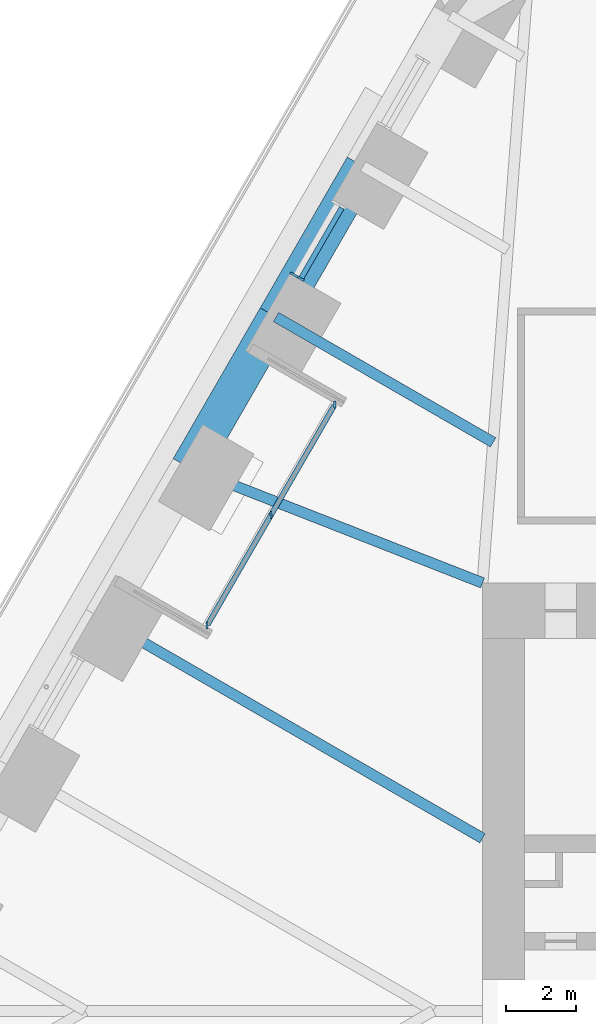
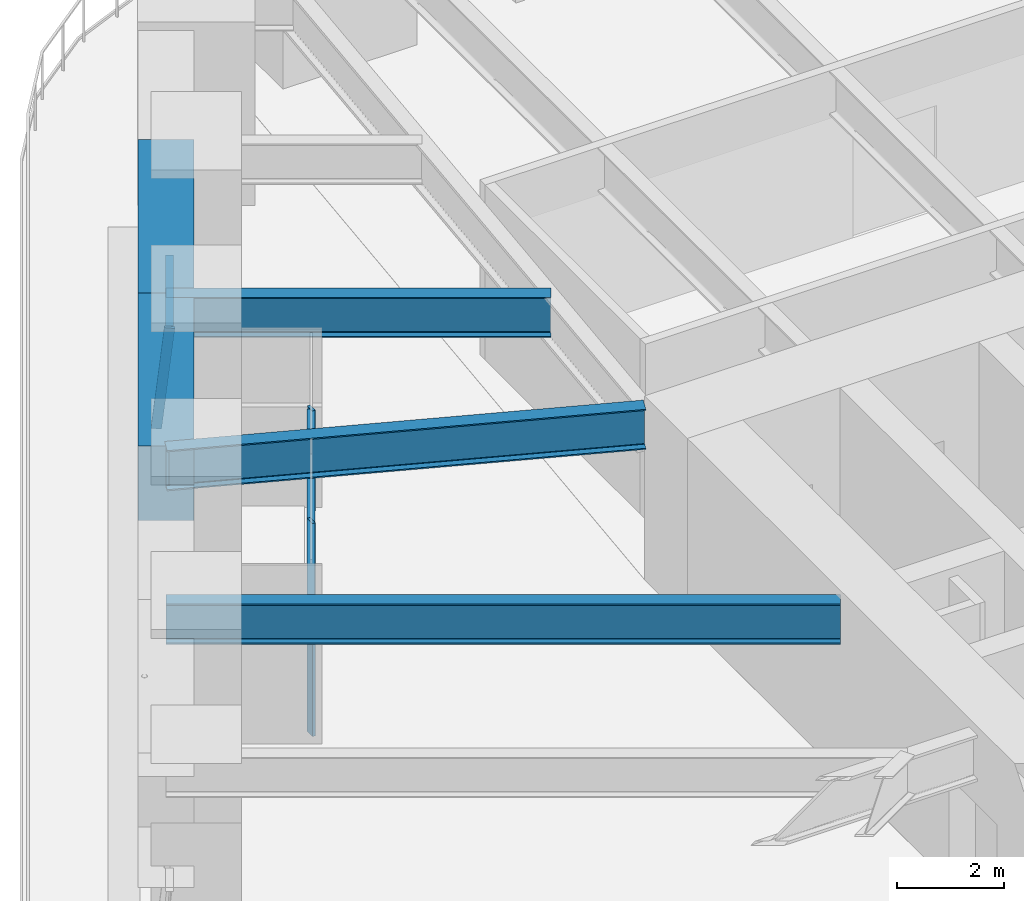
# One storey, part 8 of 24: 6 members, 5 beams, 2 elements without a shape of their own.
"""IFC4 building model written with IfcOpenShell, lengths in metres."""

import ifcopenshell
import ifcopenshell.guid

model = None  # the IFC model being written
_history = None  # IfcOwnerHistory: only IFC2X3 demands one
_inside = {}  # id of a spatial element -> (the spatial element, [elements in it])
_under = {}  # id of a project, library or spatial element -> (it, [spatial elements below it])
_declared = {}  # id of a project -> (the project, [libraries it declares])
_typed = {}  # id of a type object -> (the type object, [elements of that type])
_made_of = {}  # id of a material, layer set ... -> (it, [elements and type objects made of it])


def new_model(schema):
    """Start an empty IFC model of exactly this schema.

    Asked for "IFC4X3", IfcOpenShell would pick the latest addendum, in which some entities
    have other attributes; the version numbers below select the first issue.
    IFC2X3 requires an IfcOwnerHistory on every rooted entity: one is made here for all.
    """
    global model, _history
    if schema == "IFC4X3":
        model = ifcopenshell.file(schema_version=(4, 3, 0, 0))
    else:
        model = ifcopenshell.file(schema=schema)
    _inside.clear()
    _under.clear()
    _declared.clear()
    _typed.clear()
    _made_of.clear()
    _history = None
    if model.schema == "IFC2X3":
        org = make("IfcOrganization", Name="unknown")
        user = make(
            "IfcPersonAndOrganization",
            ThePerson=make("IfcPerson", FamilyName="unknown"),
            TheOrganization=org,
        )
        app = make(
            "IfcApplication",
            ApplicationDeveloper=org,
            Version="unknown",
            ApplicationFullName="unknown",
            ApplicationIdentifier="unknown",
        )
        _history = make(
            "IfcOwnerHistory",
            OwningUser=user,
            OwningApplication=app,
            ChangeAction="ADDED",
            CreationDate=0,
        )
    return model


def make(cls, **values):
    """One entity of the class cls with the attributes given. An attribute that is None is left unset."""
    return model.create_entity(
        cls, **{name: value for name, value in values.items() if value is not None}
    )


def rooted(cls, **values):
    """An entity with a GlobalId (a new one), such as an element, a storey or a relation."""
    return make(cls, GlobalId=ifcopenshell.guid.new(), OwnerHistory=_history, **values)


def si_unit(unit_type, name, prefix=None):
    """IfcSIUnit, for example si_unit("LENGTHUNIT", "METRE", prefix="MILLI")."""
    return make("IfcSIUnit", UnitType=unit_type, Prefix=prefix, Name=name)


def assignment(units):
    """IfcUnitAssignment: the units of a project."""
    return None if units is None else make("IfcUnitAssignment", Units=units)


def point(xyz):
    """IfcCartesianPoint."""
    return None if xyz is None else make("IfcCartesianPoint", Coordinates=xyz)


def direction(xyz):
    """IfcDirection."""
    return None if xyz is None else make("IfcDirection", DirectionRatios=xyz)


def frame(location, z_axis=None, x_axis=None):
    """IfcAxis2Placement3D, a coordinate frame: its origin and axes. An axis left out is left unset."""
    return make(
        "IfcAxis2Placement3D",
        Location=point(location),
        Axis=direction(z_axis),
        RefDirection=direction(x_axis),
    )


def frame_2d(location, x_axis=None):
    """IfcAxis2Placement2D, a coordinate frame in the plane: its origin and x axis."""
    return make(
        "IfcAxis2Placement2D", Location=point(location), RefDirection=direction(x_axis)
    )


def origin():
    """The frame at (0, 0, 0) with its axes left unset."""
    return frame((0.0, 0.0, 0.0))


def origin_2d():
    """The frame at (0, 0) in the plane with its x axis left unset."""
    return frame_2d((0.0, 0.0))


def place(relative_to, where):
    """IfcLocalPlacement: puts the frame where relative to a parent placement (None: the world)."""
    return make(
        "IfcLocalPlacement", PlacementRelTo=relative_to, RelativePlacement=where
    )


def context(
    kind, dimensions, precision=None, world=None, true_north=None, identifier=None
):
    """IfcGeometricRepresentationContext, for example the 3D "Model" context."""
    return make(
        "IfcGeometricRepresentationContext",
        ContextIdentifier=identifier,
        ContextType=kind,
        CoordinateSpaceDimension=dimensions,
        Precision=precision,
        WorldCoordinateSystem=world,
        TrueNorth=true_north,
    )


def subcontext(parent, identifier, kind, view, scale=None):
    """IfcGeometricRepresentationSubContext, for example "Body" below "Model"."""
    return make(
        "IfcGeometricRepresentationSubContext",
        ContextIdentifier=identifier,
        ContextType=kind,
        ParentContext=parent,
        TargetScale=scale,
        TargetView=view,
    )


def project(units=None, contexts=None):
    """IfcProject with its units and contexts."""
    return rooted(
        "IfcProject",
        Name="project",
        RepresentationContexts=contexts,
        UnitsInContext=assignment(units),
    )


def spatial(cls, under=None, at=None, **own):
    """A site, building, storey or space (cls), placed at a placement, below another one or the project."""
    s = rooted(cls, ObjectPlacement=at, **own)
    if under is not None:
        _under.setdefault(under.id(), (under, []))[1].append(s)
    return s


def profile(cls, at=None, kind="AREA", **sizes):
    """A parametric profile (cls). Its sizes go by their IFC names, for example OverallWidth=200.0."""
    return make(cls, ProfileType=kind, Position=at, **sizes)


def rectangle(**sizes):
    """IfcRectangleProfileDef."""
    return profile("IfcRectangleProfileDef", **sizes)


def i_section(**sizes):
    """IfcIShapeProfileDef."""
    return profile("IfcIShapeProfileDef", **sizes)


def extrude(swept, where, along, depth):
    """IfcExtrudedAreaSolid: the profile swept, set in the frame where, extruded along a direction by depth."""
    return make(
        "IfcExtrudedAreaSolid",
        SweptArea=swept,
        Position=where,
        ExtrudedDirection=direction(along),
        Depth=depth,
    )


def shape(context_of_items, identifier, shape_type, items):
    """IfcShapeRepresentation: the items that make up one representation, for example the "Body"."""
    return make(
        "IfcShapeRepresentation",
        ContextOfItems=context_of_items,
        RepresentationIdentifier=identifier,
        RepresentationType=shape_type,
        Items=items,
    )


def material(Name=None, Category=None):
    """IfcMaterial."""
    return make("IfcMaterial", Name=Name, Category=Category)


def material_profile(
    of_material, cross_section, Name=None, Category=None, Priority=None
):
    """IfcMaterialProfile: a cross section and its material."""
    return make(
        "IfcMaterialProfile",
        Name=Name,
        Material=of_material,
        Profile=cross_section,
        Priority=Priority,
        Category=Category,
    )


def profile_set(profiles, Name=None, composite=None):
    """IfcMaterialProfileSet."""
    return make(
        "IfcMaterialProfileSet",
        Name=Name,
        MaterialProfiles=profiles,
        CompositeProfile=composite,
    )


def made_of(thing, what):
    """Note that an element or type object is made of a material, layer set ...; save() writes the relation."""
    if what is not None:
        _made_of.setdefault(what.id(), (what, []))[1].append(thing)
    return thing


def type_object(cls, material=None, **own):
    """A type object (cls), such as IfcWallType, which elements share."""
    return made_of(rooted(cls, **own), material)


def element(
    cls,
    number,
    at=None,
    inside=None,
    cuts=None,
    type_object=None,
    material=None,
    context=None,
    identifier="Body",
    shape_type=None,
    held_by="IfcProductDefinitionShape",
    body=None,
    shapes=None,
    **own,
):
    """One element of the class cls, such as IfcWall. Its Tag is "e" and its number.

    at: its placement. inside: the storey or other place that contains it. cuts: it is an
    opening in that element (IfcRelVoidsElement). A single representation is given by context,
    identifier, shape_type and body (its items); several are given by shapes. held_by: the class
    of the entity that holds the representations. save() writes the other relations.
    """
    e = rooted(cls, Tag="e%d" % number, ObjectPlacement=at, **own)
    if body is not None:
        shapes = [shape(context, identifier, shape_type, body)]
    if shapes is not None:
        e.Representation = make(held_by, Representations=shapes)
    if inside is not None:
        _inside.setdefault(inside.id(), (inside, []))[1].append(e)
    if cuts is not None:
        rooted(
            "IfcRelVoidsElement", RelatingBuildingElement=cuts, RelatedOpeningElement=e
        )
    if type_object is not None:
        _typed.setdefault(type_object.id(), (type_object, []))[1].append(e)
    return made_of(e, material)


def aggregate(whole, parts):
    """IfcRelAggregates: a whole, such as a stair, and the parts it consists of."""
    return rooted("IfcRelAggregates", RelatingObject=whole, RelatedObjects=parts)


def save(model, path):
    """Write the relations noted so far, then the file.

    IfcRelAggregates (storeys below a building ...), IfcRelContainedInSpatialStructure (elements
    in a storey), IfcRelDefinesByType, IfcRelAssociatesMaterial and IfcRelDeclares: one each for
    every whole, place, type object, material and project.
    """
    for whole, parts in _under.values():
        aggregate(whole, parts)
    for where, things in _inside.values():
        rooted(
            "IfcRelContainedInSpatialStructure",
            RelatedElements=things,
            RelatingStructure=where,
        )
    for kind, things in _typed.values():
        rooted("IfcRelDefinesByType", RelatedObjects=things, RelatingType=kind)
    for what, things in _made_of.values():
        rooted("IfcRelAssociatesMaterial", RelatedObjects=things, RelatingMaterial=what)
    for by, libraries in _declared.values():
        rooted("IfcRelDeclares", RelatingContext=by, RelatedDefinitions=libraries)
    model.write(path)


model = new_model("IFC4")

# Units and contexts
model_context = context("Model", 3, precision=1e-05, world=origin(), true_north=direction((0.0, 1.0)))
body_context = subcontext(model_context, "Body", "Model", "MODEL_VIEW")
ifc_project = project(units=[si_unit("LENGTHUNIT", "METRE"), si_unit("AREAUNIT", "SQUARE_METRE"), si_unit("VOLUMEUNIT", "CUBIC_METRE"), si_unit("PLANEANGLEUNIT", "RADIAN"), si_unit("MASSUNIT", "GRAM", prefix="KILO")], contexts=[model_context])

# Site, building, storey
site_placement = place(None, origin())
site = spatial("IfcSite", under=ifc_project, at=site_placement, CompositionType="ELEMENT")
building_placement = place(site_placement, origin())
building = spatial("IfcBuilding", under=site, at=building_placement, Name="Tarfa Lantern Tower", CompositionType="ELEMENT")
storey_placement = place(building_placement, frame((0.0, 0.0, 119.5)))
storey = spatial("IfcBuildingStorey", under=building, at=storey_placement, Name="L26", CompositionType="ELEMENT", Elevation=119.5)

# Curtain wall, member
ifc_material_1 = material(Name="Aluminium framed curtain wall", Category="aluminium")
curtain_wall_type_1 = type_object("IfcCurtainWallType", Name="CW2 CANTED GLAZING MID ZONE 2300", PredefinedType="USERDEFINED", material=ifc_material_1)
curtain_wall_1_placement = place(storey_placement, origin())
curtain_wall_1 = element("IfcCurtainWall", 1, at=curtain_wall_1_placement, inside=storey, type_object=curtain_wall_type_1, Name="CW2 NW L26", ObjectType="CURTAIN WALL", PredefinedType="USERDEFINED")
ifc_material_2 = material(Name="Aluminium mullion", Category="aluminium")
ifc_material_profile_1 = material_profile(ifc_material_2, rectangle(XDim=0.06494140625, YDim=0.199951171875, at=origin_2d()), Name="AL MULLION 65x200")
ifc_profile_set_1 = profile_set([ifc_material_profile_1], Name="Aluminium mullion")
member_type_1 = type_object("IfcMemberType", Name="CWM1 MULLION 65x200", PredefinedType="MULLION", material=ifc_profile_set_1)
member_1_placement = place(storey_placement, frame((-24.03759765625, 21.165771484375, 0.0), z_axis=(0.093599904765, -0.0540283554, 0.994142844183), x_axis=(0.499919672301, 0.866071776036, 0.0)))
member_1 = element("IfcMember", 2, at=member_1_placement, type_object=member_type_1, Name="CW2 mullion 2", PredefinedType="MULLION", context=body_context, shape_type="SweptSolid", body=[
    extrude(rectangle(XDim=0.06494140625, YDim=0.199951171875, at=origin_2d()), origin(), (0.0, 0.0, 1.0), 2.313720703125),
])

# Curtain wall, members
curtain_wall_type_2 = type_object("IfcCurtainWallType", Name="CW10 LOGGIA GLAZING 2300", PredefinedType="USERDEFINED", material=ifc_material_1)
curtain_wall_2_placement = place(storey_placement, origin())
curtain_wall_2 = element("IfcCurtainWall", 3, at=curtain_wall_2_placement, inside=storey, type_object=curtain_wall_type_2, Name="CW10 NWL L26", ObjectType="CURTAIN WALL", PredefinedType="USERDEFINED")
member_2_placement = place(storey_placement, frame((-22.84619140625, 17.429443359375, 0.0), z_axis=(0.0, 0.0, 1.0), x_axis=(1.0, 0.0, 0.0)))
member_2 = element("IfcMember", 4, at=member_2_placement, type_object=member_type_1, Name="CW10 mullion 1", PredefinedType="MULLION", context=body_context, shape_type="SweptSolid", body=[
    extrude(rectangle(XDim=0.06494140625, YDim=0.199951171875, at=origin_2d()), origin(), (0.0, 0.0, 1.0), 2.300048828125),
])
member_3_placement = place(storey_placement, frame((-24.681640625, 14.25, 0.0), z_axis=(0.0, 0.0, 1.0), x_axis=(1.0, 0.0, 0.0)))
member_3 = element("IfcMember", 5, at=member_3_placement, type_object=member_type_1, Name="CW10 mullion 2", PredefinedType="MULLION", context=body_context, shape_type="SweptSolid", body=[
    extrude(rectangle(XDim=0.06494140625, YDim=0.199951171875, at=origin_2d()), origin(), (0.0, 0.0, 1.0), 2.300048828125),
])
member_4_placement = place(storey_placement, frame((-26.517333984375, 11.070556640625, 0.0), z_axis=(0.0, 0.0, 1.0), x_axis=(1.0, 0.0, 0.0)))
member_4 = element("IfcMember", 6, at=member_4_placement, type_object=member_type_1, Name="CW10 mullion 3", PredefinedType="MULLION", context=body_context, shape_type="SweptSolid", body=[
    extrude(rectangle(XDim=0.06494140625, YDim=0.199951171875, at=origin_2d()), origin(), (0.0, 0.0, 1.0), 2.300048828125),
])

# Member
ifc_material_3 = material(Name="Aluminium transom", Category="aluminium")
ifc_material_profile_2 = material_profile(ifc_material_3, rectangle(XDim=0.14990234375, YDim=0.06494140625, at=origin_2d()), Name="AL TRANSOM 150x65")
ifc_profile_set_2 = profile_set([ifc_material_profile_2], Name="Aluminium transom")
member_type_2 = type_object("IfcMemberType", Name="CWT1 TRANSOM 150x65", PredefinedType="USERDEFINED", material=ifc_profile_set_2)
member_5_placement = place(storey_placement, frame((-22.64599609375, 23.0830078125, 2.267578125), z_axis=(-0.499992256698, -0.866029874336, 0.0), x_axis=(0.866029874336, -0.499992256698, 0.0)))
member_5 = element("IfcMember", 7, at=member_5_placement, type_object=member_type_2, Name="CW2 transom 1.2", ObjectType="TRANSOM", PredefinedType="USERDEFINED", context=body_context, shape_type="SweptSolid", body=[
    extrude(rectangle(XDim=0.14990234375, YDim=0.06494140625, at=origin_2d()), origin(), (0.0, 0.0, 1.0), 2.32373046875),
])

aggregate(curtain_wall_1, [member_1, member_5])

member_6_placement = place(storey_placement, frame((-22.8623046875, 17.401123046875, 2.267578125), z_axis=(-0.500007048974, -0.866021334019, 0.0), x_axis=(0.866021334019, -0.500007048974, 0.0)))
member_6 = element("IfcMember", 8, at=member_6_placement, type_object=member_type_2, Name="CW10 transom 1.2", ObjectType="TRANSOM", PredefinedType="USERDEFINED", context=body_context, shape_type="SweptSolid", body=[
    extrude(rectangle(XDim=0.14990234375, YDim=0.06494140625, at=origin_2d()), origin(), (0.0, 0.0, 1.0), 7.27734375),
])

aggregate(curtain_wall_2, [member_2, member_3, member_4, member_6])

# Beams
ifc_material_4 = material(Name="Concrete C80/95", Category="concrete")
ifc_material_profile_3 = material_profile(ifc_material_4, rectangle(XDim=1.050048828125, YDim=1.699951171875, at=origin_2d()), Name="RC 1050x1700")
ifc_profile_set_3 = profile_set([ifc_material_profile_3], Name="Concrete C80/95")
beam_type_1 = type_object("IfcBeamType", Name="RB2 RC 1050x1700", PredefinedType="BEAM", material=ifc_profile_set_3)
for number, where, z_axis, x_axis, name in (
    (9, (-22.03369140625, 24.276611328125, 3.14990234375), (-0.49998573051, -0.866033642122, 0.0), (0.866033642122, -0.49998573051, 0.0), "Edge beam NW1"),
    (10, (-24.535400390625, 19.943359375, 3.14990234375), (-0.500022324899, -0.866012514114, 0.0), (0.866012514114, -0.500022324899, 0.0), "Edge beam NW2"),
):
    element("IfcBeam", number, at=place(storey_placement, frame(where, z_axis=z_axis, x_axis=x_axis)), inside=storey, type_object=beam_type_1, Name=name, PredefinedType="BEAM", context=body_context, shape_type="SweptSolid", body=[
        extrude(rectangle(XDim=1.050048828125, YDim=1.699951171875, at=origin_2d()), origin(), (0.0, 0.0, 1.0), 5.003662109375),
    ])
ifc_material_5 = material(Name="Steel S460M", Category="steel")
ifc_material_profile_4 = material_profile(ifc_material_5, i_section(OverallWidth=0.305419921875, OverallDepth=0.91845703125, WebThickness=0.017333984375, FlangeThickness=0.02783203125, FilletRadius=0.01904296875, at=origin_2d()), Name="UB914x305x253")
ifc_profile_set_4 = profile_set([ifc_material_profile_4], Name="Steel S460M")
beam_type_2 = type_object("IfcBeamType", Name="UB914x305x253", PredefinedType="BEAM", material=ifc_profile_set_4)
beam_1_placement = place(storey_placement, frame((-24.535400390625, 19.943359375, 3.540771484375), z_axis=(0.86602647304, -0.499998147991, 0.0), x_axis=(0.499998147991, 0.86602647304, 0.0)))
element("IfcBeam", 11, at=beam_1_placement, inside=storey, type_object=beam_type_2, Name="Floor beam NW2", PredefinedType="BEAM", context=body_context, shape_type="SweptSolid", body=[
    extrude(i_section(OverallWidth=0.305419921875, OverallDepth=0.91845703125, WebThickness=0.017333984375, FlangeThickness=0.02783203125, FilletRadius=0.01904296875, at=origin_2d()), origin(), (0.0, 0.0, 1.0), 7.20556640625),
])
beam_2_placement = place(storey_placement, frame((-27.037353515625, 15.610107421875, 3.540771484375), z_axis=(0.930923282782, -0.365214788274, 0.0), x_axis=(0.365214788274, 0.930923282782, 0.0)))
element("IfcBeam", 12, at=beam_2_placement, inside=storey, type_object=beam_type_2, Name="Floor beam NW3", PredefinedType="BEAM", context=body_context, shape_type="SweptSolid", body=[
    extrude(i_section(OverallWidth=0.305419921875, OverallDepth=0.91845703125, WebThickness=0.017333984375, FlangeThickness=0.02783203125, FilletRadius=0.01904296875, at=origin_2d()), origin(), (0.0, 0.0, 1.0), 9.063232421875),
])
beam_3_placement = place(storey_placement, frame((-29.5390625, 11.276611328125, 3.540771484375), z_axis=(0.866023362995, -0.500003534735, 0.0), x_axis=(0.500003534735, 0.866023362995, 0.0)))
element("IfcBeam", 13, at=beam_3_placement, inside=storey, type_object=beam_type_2, Name="Floor beam NW4", PredefinedType="BEAM", context=body_context, shape_type="SweptSolid", body=[
    extrude(i_section(OverallWidth=0.305419921875, OverallDepth=0.91845703125, WebThickness=0.017333984375, FlangeThickness=0.02783203125, FilletRadius=0.01904296875, at=origin_2d()), origin(), (0.0, 0.0, 1.0), 12.63134765625),
])

save(model, "model.ifc")
